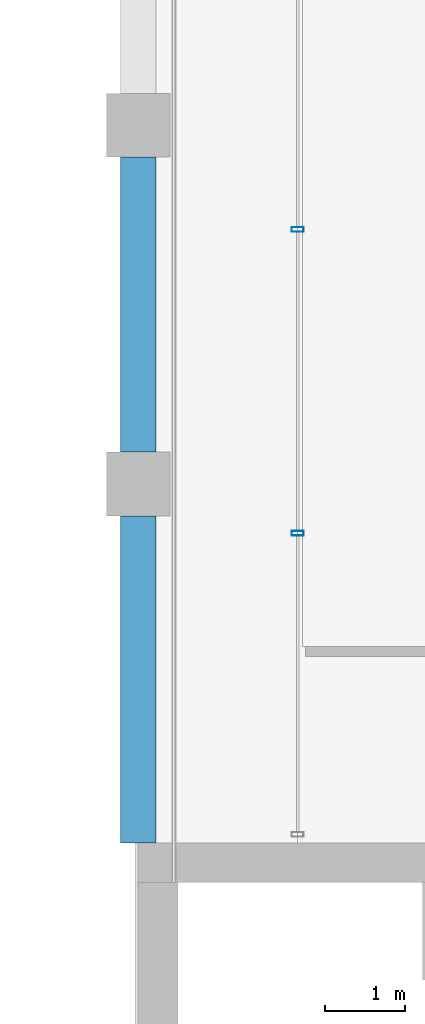
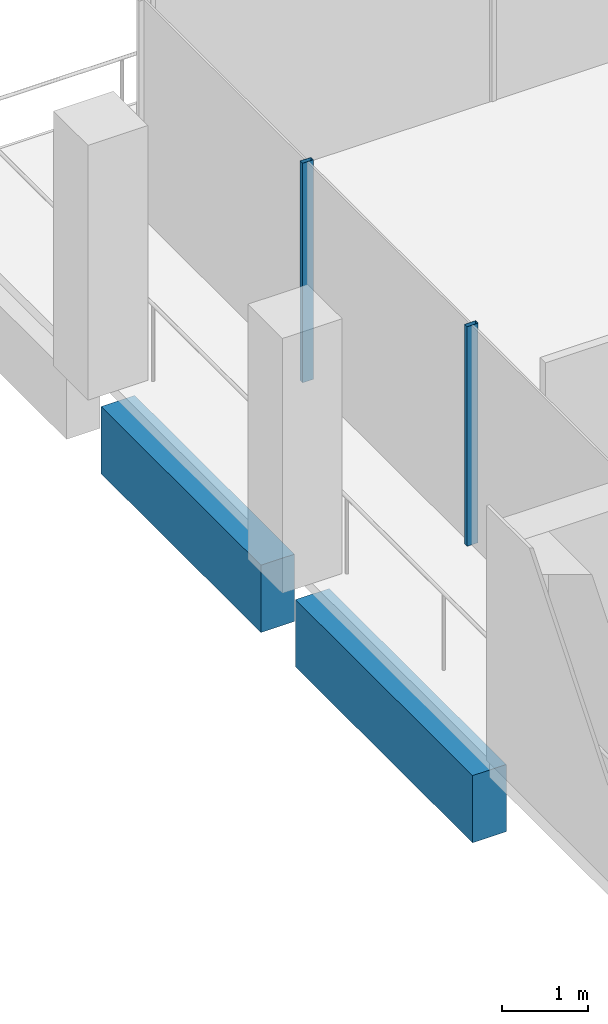
# One storey, part 20 of 40: 2 beams, 2 members, 1 element without a shape of its own.
"""IFC4 building model written with IfcOpenShell, lengths in metres."""

from ifc_helpers import new_model, si_unit, direction, frame, origin, origin_2d, place, context, subcontext, project, spatial, rectangle, hollow_rectangle, extrude, material, material_profile, profile_set, type_object, element, aggregate, save


model = new_model("IFC4")

# Units and contexts
model_context = context("Model", 3, precision=1e-05, world=origin(), true_north=direction((0.0, 1.0)))
body_context = subcontext(model_context, "Body", "Model", "MODEL_VIEW")
ifc_project = project(units=[si_unit("LENGTHUNIT", "METRE"), si_unit("AREAUNIT", "SQUARE_METRE"), si_unit("VOLUMEUNIT", "CUBIC_METRE"), si_unit("PLANEANGLEUNIT", "RADIAN"), si_unit("MASSUNIT", "GRAM", prefix="KILO")], contexts=[model_context])

# Site, building, storey
site_placement = place(None, origin())
site = spatial("IfcSite", under=ifc_project, at=site_placement, CompositionType="ELEMENT")
building_placement = place(site_placement, origin())
building = spatial("IfcBuilding", under=site, at=building_placement, Name="Altepetl Exchange Towers", CompositionType="ELEMENT")
storey_placement = place(building_placement, frame((0.0, 0.0, 199.199951171875)))
storey = spatial("IfcBuildingStorey", under=building, at=storey_placement, Name="L50", CompositionType="ELEMENT", Elevation=199.199951171875)

# Curtain wall, members
ifc_material_1 = material(Name="Aluminium 6063-T6 glazing", Category="aluminium")
curtain_wall_type = type_object("IfcCurtainWallType", Name="Loggia glazing system", PredefinedType="NOTDEFINED", material=ifc_material_1)
curtain_wall_placement = place(storey_placement, origin())
curtain_wall = element("IfcCurtainWall", 1, at=curtain_wall_placement, inside=storey, type_object=curtain_wall_type, Name="CW1 run", PredefinedType="NOTDEFINED")
ifc_material_2 = material(Name="Aluminium 6063-T6", Category="aluminium")
ifc_material_profile_1 = material_profile(ifc_material_2, hollow_rectangle(XDim=0.06005859375, YDim=0.14990234375, WallThickness=0.0029296875, at=origin_2d()), Name="Mullion 60x150 aluminium")
ifc_profile_set_1 = profile_set([ifc_material_profile_1], Name="Aluminium 6063-T6")
member_type = type_object("IfcMemberType", Name="Mullion 60x150 aluminium", PredefinedType="MULLION", material=ifc_profile_set_1)
member_1_placement = place(storey_placement, frame((42.5, 66.191650390625, 0.0), z_axis=(0.0, 0.0, 1.0), x_axis=(0.0, -1.0, 0.0)))
member_1 = element("IfcMember", 2, at=member_1_placement, type_object=member_type, Name="MU1 mullion", PredefinedType="MULLION", context=body_context, shape_type="SweptSolid", body=[
    extrude(hollow_rectangle(XDim=0.06005859375, YDim=0.14990234375, WallThickness=0.0029296875, at=origin_2d()), origin(), (0.0, 0.0, 1.0), 3.10009765625),
])
member_2_placement = place(storey_placement, frame((42.5, 62.38330078125, 0.0), z_axis=(0.0, 0.0, 1.0), x_axis=(0.0, -1.0, 0.0)))
member_2 = element("IfcMember", 3, at=member_2_placement, type_object=member_type, Name="MU1 mullion", PredefinedType="MULLION", context=body_context, shape_type="SweptSolid", body=[
    extrude(hollow_rectangle(XDim=0.06005859375, YDim=0.14990234375, WallThickness=0.0029296875, at=origin_2d()), origin(), (0.0, 0.0, 1.0), 3.10009765625),
])
aggregate(curtain_wall, [member_1, member_2])

# Beams
ifc_material_3 = material(Name="Concrete C50/60 precast with tezontle facing", Category="concrete")
ifc_material_profile_2 = material_profile(ifc_material_3, rectangle(XDim=0.449951171875, YDim=0.949951171875, at=origin_2d()), Name="450 x 950")
ifc_profile_set_2 = profile_set([ifc_material_profile_2], Name="Concrete C50/60 precast with tezontle facing")
beam_type = type_object("IfcBeamType", Name="Spandrel beam 450x950 tezontle", PredefinedType="SPANDREL", material=ifc_profile_set_2)
beam_1_placement = place(storey_placement, frame((40.5, 67.10009765625, -0.625), z_axis=(0.0, -1.0, 0.0), x_axis=(1.0, 0.0, 0.0)))
element("IfcBeam", 4, at=beam_1_placement, inside=storey, type_object=beam_type, Name="sp:A:L50:031", PredefinedType="SPANDREL", context=body_context, shape_type="SweptSolid", body=[
    extrude(rectangle(XDim=0.449951171875, YDim=0.949951171875, at=origin_2d()), origin(), (0.0, 0.0, 1.0), 3.7001953125),
])
beam_2_placement = place(storey_placement, frame((40.5, 62.60009765625, -0.625), z_axis=(0.0, -1.0, 0.0), x_axis=(1.0, 0.0, 0.0)))
element("IfcBeam", 5, at=beam_2_placement, inside=storey, type_object=beam_type, Name="sp:A:L50:032", PredefinedType="SPANDREL", context=body_context, shape_type="SweptSolid", body=[
    extrude(rectangle(XDim=0.449951171875, YDim=0.949951171875, at=origin_2d()), origin(), (0.0, 0.0, 1.0), 4.10009765625),
])

save(model, "model.ifc")
